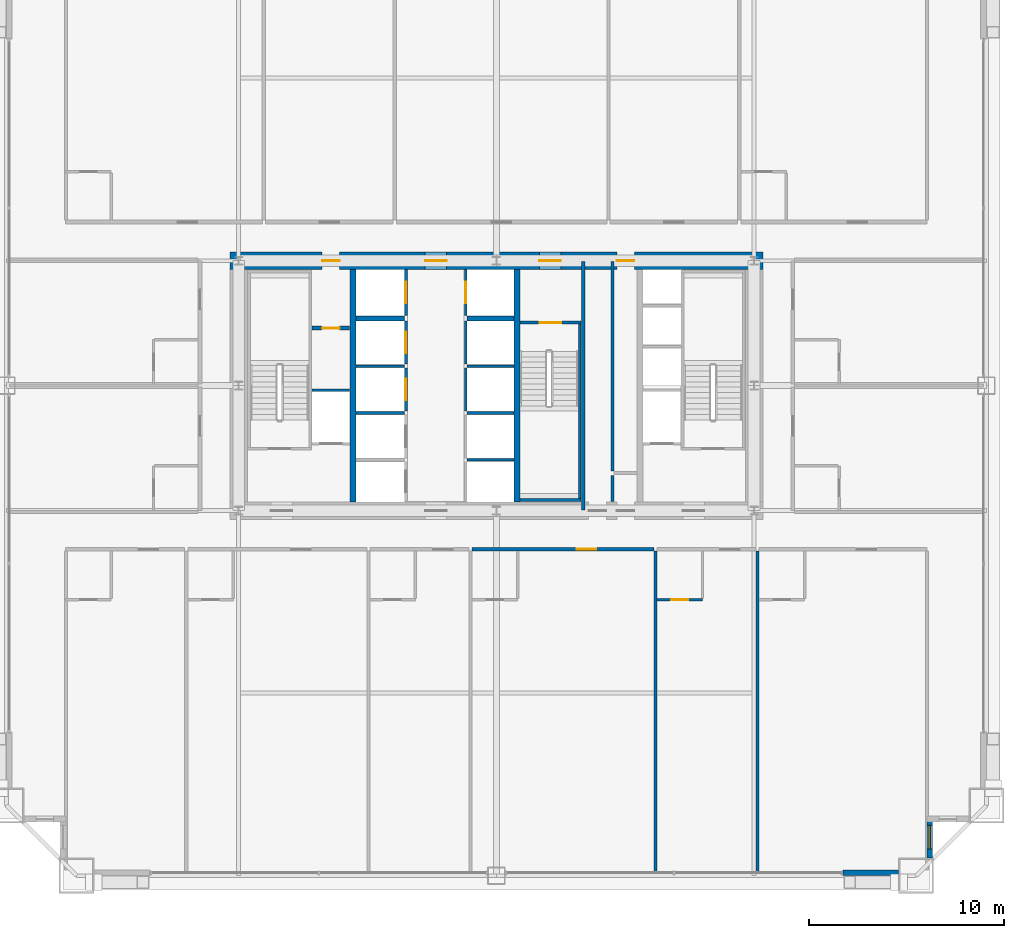
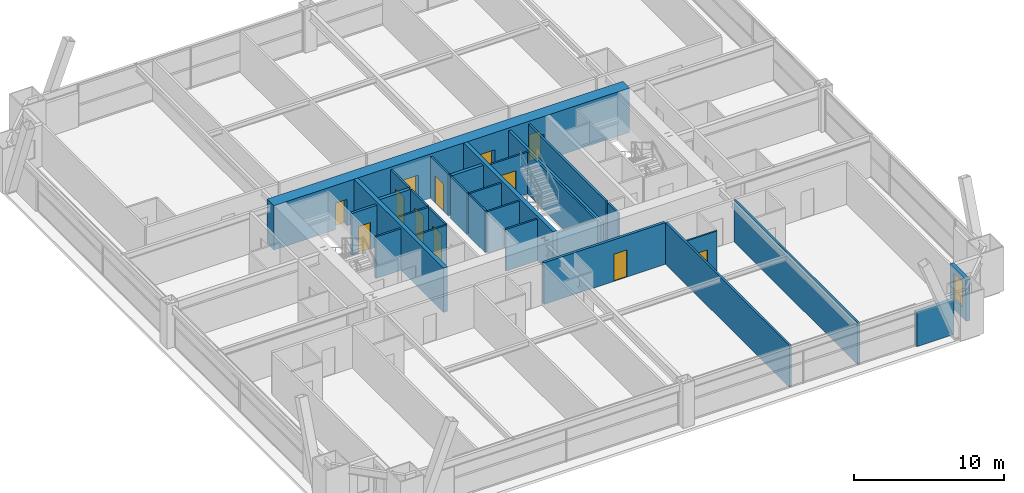
# One storey, part 40 of 43: 30 walls, 12 doors, 1 window, 13 openings.
"""IFC4 building model written with IfcOpenShell, lengths in metres."""

from ifc_helpers import new_model, si_unit, direction, frame, frame_2d, origin, place, context, subcontext, project, spatial, rectangle, extrude, source, transform, mapped, material, layer, layer_set, type_object, element, fill, save


model = new_model("IFC4")

# Units and contexts
model_context = context("Model", 3, precision=1e-05, world=origin(), true_north=direction((0.0, 1.0)))
body_context = subcontext(model_context, "Body", "Model", "MODEL_VIEW")
ifc_project = project(units=[si_unit("LENGTHUNIT", "METRE"), si_unit("AREAUNIT", "SQUARE_METRE"), si_unit("VOLUMEUNIT", "CUBIC_METRE"), si_unit("PLANEANGLEUNIT", "RADIAN"), si_unit("MASSUNIT", "GRAM", prefix="KILO"), si_unit("THERMODYNAMICTEMPERATUREUNIT", "KELVIN"), si_unit("POWERUNIT", "WATT")], contexts=[model_context])

# Site, building, storey
site_placement = place(None, origin())
site = spatial("IfcSite", under=ifc_project, at=site_placement, CompositionType="ELEMENT")
building_placement = place(site_placement, origin())
building = spatial("IfcBuilding", under=site, at=building_placement, Name="Yuzanri Waterfront Tower", CompositionType="ELEMENT")
storey_placement = place(building_placement, frame((0.0, 0.0, 60.39990234375)))
storey = spatial("IfcBuildingStorey", under=building, at=storey_placement, Name="L15", CompositionType="ELEMENT", Elevation=60.39990234375)

# Wall, opening, door
ifc_material_1 = material(Name="Moisture-Resistant Gypsum Stud Wall", Category="gypsum")
ifc_layer_1 = layer(ifc_material_1, 0.1201171875)
ifc_layer_set_1 = layer_set([ifc_layer_1], Name="Moisture-Resistant Gypsum Stud Wall")
wall_type_1 = type_object("IfcWallType", Name="Bathroom and Kitchen Wet Partition 120", PredefinedType="PARTITIONING", material=ifc_layer_set_1)
wall_1_placement = place(storey_placement, frame((45.22705078125, 14.840087890625, 0.0), z_axis=(0.0, 0.0, 1.0), x_axis=(1.0, 0.0, 0.0)))
wall_1 = element("IfcWall", 1, at=wall_1_placement, inside=storey, type_object=wall_type_1, Name="L15 Partition UW-L15-S5-BS", PredefinedType="PARTITIONING", context=body_context, shape_type="SweptSolid", body=[
    extrude(rectangle(XDim=2.329833984375, YDim=0.1201171875, at=frame_2d((1.1650390625, 0.0))), origin(), (0.0, 0.0, 1.0), 3.380126953125),
])
opening_1_placement = place(wall_1_placement, frame((0.739990234375, 0.0, 0.0)))
opening_1 = element("IfcOpeningElement", 2, at=opening_1_placement, cuts=wall_1, Name="Opening ID-0850", PredefinedType="OPENING", context=body_context, shape_type="SweptSolid", body=[
    extrude(rectangle(XDim=0.85009765625, YDim=2.10009765625, at=frame_2d((0.425048828125, 1.050048828125))), frame((0.0, 0.074951171875, 0.0), z_axis=(0.0, -1.0, 0.0), x_axis=(1.0, 0.0, 0.0)), (0.0, 0.0, 1.0), 0.14990234375),
])
ifc_material_2 = material(Name="Moisture-Resistant Lacquered Timber", Category="wood")
door_type_1 = type_object("IfcDoorType", Name="En-Suite Bathroom and Kitchen Swing Door 850x2100", OperationType="NOTDEFINED", PredefinedType="DOOR", material=ifc_material_2)
shared_shape_1 = source(origin(), body_context, "Body", "SweptSolid", [
    extrude(rectangle(XDim=0.85009765625, YDim=2.10009765625, at=frame_2d((0.425048828125, 1.050048828125))), frame((0.0, 0.02490234375, 0.0), z_axis=(0.0, -1.0, 0.0), x_axis=(1.0, 0.0, 0.0)), (0.0, 0.0, 1.0), 0.050048828125),
])
door_1_placement = place(opening_1_placement, origin())
door_1 = element("IfcDoor", 3, at=door_1_placement, inside=storey, type_object=door_type_1, Name="L15 Guest En-Suite Door", OperationType="SINGLE_SWING_RIGHT", OverallHeight=2.10009765625, OverallWidth=0.85009765625, PredefinedType="DOOR", context=body_context, shape_type="MappedRepresentation", body=[
    mapped(shared_shape_1, transform((0.0, 0.0, 0.0), scale=1.0)),
])
fill(opening_1, door_1)

# Wall, opening, window
ifc_material_3 = material(Name="Honed Chongqing Dark Basalt Stone", Category="masonry")
ifc_layer_2 = layer(ifc_material_3, 0.300048828125)
ifc_layer_set_2 = layer_set([ifc_layer_2], Name="Honed Chongqing Dark Basalt Stone")
wall_type_2 = type_object("IfcWallType", Name="Bronze Rainscreen Insulated Spandrel Portal Wall 300", PredefinedType="SOLIDWALL", material=ifc_layer_set_2)
wall_2_placement = place(storey_placement, frame((59.199951171875, 1.60009765625, 0.0), z_axis=(0.0, 0.0, 1.0), x_axis=(0.0, 1.0, 0.0)))
wall_2 = element("IfcWall", 4, at=wall_2_placement, inside=storey, type_object=wall_type_2, Name="L15 Notched Corner Masonry Wall SE-Y", PredefinedType="SOLIDWALL", context=body_context, shape_type="SweptSolid", body=[
    extrude(rectangle(XDim=2.14990234375, YDim=0.300048828125, at=frame_2d((1.074951171875, 0.0))), origin(), (0.0, 0.0, 1.0), 3.380126953125),
])
opening_2_placement = place(wall_2_placement, frame((0.47509765625, 0.0, 0.85009765625)))
opening_2 = element("IfcOpeningElement", 5, at=opening_2_placement, cuts=wall_2, Name="Opening WN-02", PredefinedType="OPENING", context=body_context, shape_type="SweptSolid", body=[
    extrude(rectangle(XDim=1.199951171875, YDim=2.10009765625, at=frame_2d((0.60009765625, 1.050048828125))), frame((0.0, 0.1650390625, 0.0), z_axis=(0.0, -1.0, 0.0), x_axis=(1.0, 0.0, 0.0)), (0.0, 0.0, 1.0), 0.329833984375),
])
ifc_material_4 = material(Name="Double-Silver Low-E Insulated Glass", Category="glass")
window_type = type_object("IfcWindowType", Name="Anodized Bronze Notched Corner Deep-Set Slot Window 1200x2100", PartitioningType="SINGLE_PANEL", PredefinedType="WINDOW", material=ifc_material_4)
shared_shape_2 = source(origin(), body_context, "Body", "SweptSolid", [
    extrude(rectangle(XDim=1.199951171875, YDim=2.10009765625, at=frame_2d((0.60009765625, 1.050048828125))), frame((0.0, 0.030029296875, 0.0), z_axis=(0.0, -1.0, 0.0), x_axis=(1.0, 0.0, 0.0)), (0.0, 0.0, 1.0), 0.06005859375),
])
window_placement = place(opening_2_placement, origin())
window = element("IfcWindow", 6, at=window_placement, inside=storey, type_object=window_type, Name="L15 Notched Corner Window SE-Y", OverallHeight=2.10009765625, OverallWidth=1.199951171875, PartitioningType="SINGLE_PANEL", PredefinedType="WINDOW", context=body_context, shape_type="MappedRepresentation", body=[
    mapped(shared_shape_2, transform((0.0, 0.0, 0.0), scale=1.0)),
])
fill(opening_2, window)

# Wall, openings, doors
ifc_material_5 = material(Name="Concrete C60", Category="concrete")
ifc_layer_3 = layer(ifc_material_5, 0.89990234375)
ifc_layer_set_3 = layer_set([ifc_layer_3], Name="Concrete C60")
wall_type_3 = type_object("IfcWallType", Name="Concrete C60 Lower Zone Core Shear Wall 900", PredefinedType="SHEAR", material=ifc_layer_set_3)
wall_3_placement = place(storey_placement, frame((23.35009765625, 32.199951171875, 0.0), z_axis=(0.0, 0.0, 1.0), x_axis=(1.0, 0.0, 0.0)))
wall_3 = element("IfcWall", 7, at=wall_3_placement, inside=storey, type_object=wall_type_3, Name="L15 Core North Shear Wall", PredefinedType="SHEAR", context=body_context, shape_type="SweptSolid", body=[
    extrude(rectangle(XDim=27.2998046875, YDim=0.89990234375, at=frame_2d((13.64990234375, 0.0))), origin(), (0.0, 0.0, 1.0), 3.60009765625),
])
opening_3_placement = place(wall_3_placement, frame((4.719970703125, 0.0, 0.0)))
opening_3 = element("IfcOpeningElement", 8, at=opening_3_placement, cuts=wall_3, Name="Opening FD-0900", PredefinedType="OPENING", context=body_context, shape_type="SweptSolid", body=[
    extrude(rectangle(XDim=0.89990234375, YDim=2.14990234375, at=frame_2d((0.449951171875, 1.074951171875))), frame((0.0, 0.46484375, 0.0), z_axis=(0.0, -1.0, 0.0), x_axis=(1.0, 0.0, 0.0)), (0.0, 0.0, 1.0), 0.9296875),
])
opening_4_placement = place(wall_3_placement, frame((10.0, 0.0, 0.0)))
opening_4 = element("IfcOpeningElement", 9, at=opening_4_placement, cuts=wall_3, Name="Opening FD-1100", PredefinedType="OPENING", context=body_context, shape_type="SweptSolid", body=[
    extrude(rectangle(XDim=1.10009765625, YDim=2.199951171875, at=frame_2d((0.550048828125, 1.10009765625))), frame((0.0, 0.46484375, 0.0), z_axis=(0.0, -1.0, 0.0), x_axis=(1.0, 0.0, 0.0)), (0.0, 0.0, 1.0), 0.9296875),
])
opening_5_placement = place(wall_3_placement, frame((15.85009765625, 0.0, 0.0)))
opening_5 = element("IfcOpeningElement", 10, at=opening_5_placement, cuts=wall_3, Name="Opening FD-1100", PredefinedType="OPENING", context=body_context, shape_type="SweptSolid", body=[
    extrude(rectangle(XDim=1.10009765625, YDim=2.199951171875, at=frame_2d((0.550048828125, 1.10009765625))), frame((0.0, 0.46484375, 0.0), z_axis=(0.0, -1.0, 0.0), x_axis=(1.0, 0.0, 0.0)), (0.0, 0.0, 1.0), 0.9296875),
])
opening_6_placement = place(wall_3_placement, frame((19.820068359375, 0.0, 0.0)))
opening_6 = element("IfcOpeningElement", 11, at=opening_6_placement, cuts=wall_3, Name="Opening FD-0900", PredefinedType="OPENING", context=body_context, shape_type="SweptSolid", body=[
    extrude(rectangle(XDim=0.89990234375, YDim=2.14990234375, at=frame_2d((0.449951171875, 1.074951171875))), frame((0.0, 0.46484375, 0.0), z_axis=(0.0, -1.0, 0.0), x_axis=(1.0, 0.0, 0.0)), (0.0, 0.0, 1.0), 0.9296875),
])
ifc_material_6 = material(Name="Painted Galvanized Fire Steel", Category="steel")
door_type_2 = type_object("IfcDoorType", Name="Smoke-Proof Stair and Lobby Fire Door 1100x2200", OperationType="NOTDEFINED", PredefinedType="DOOR", material=ifc_material_6)
shared_shape_3 = source(origin(), body_context, "Body", "SweptSolid", [
    extrude(rectangle(XDim=1.10009765625, YDim=2.199951171875, at=frame_2d((0.550048828125, 1.10009765625))), frame((0.0, 0.02490234375, 0.0), z_axis=(0.0, -1.0, 0.0), x_axis=(1.0, 0.0, 0.0)), (0.0, 0.0, 1.0), 0.050048828125),
])
door_2_placement = place(opening_4_placement, origin())
door_2 = element("IfcDoor", 12, at=door_2_placement, inside=storey, type_object=door_type_2, Name="L15 Central Lift Lobby North Door", OperationType="SINGLE_SWING_LEFT", OverallHeight=2.199951171875, OverallWidth=1.10009765625, PredefinedType="DOOR", context=body_context, shape_type="MappedRepresentation", body=[
    mapped(shared_shape_3, transform((0.0, 0.0, 0.0), scale=1.0)),
])
fill(opening_4, door_2)
door_3_placement = place(opening_5_placement, origin())
door_3 = element("IfcDoor", 13, at=door_3_placement, inside=storey, type_object=door_type_2, Name="L15 North Stair Lobby Door", OperationType="SINGLE_SWING_RIGHT", OverallHeight=2.199951171875, OverallWidth=1.10009765625, PredefinedType="DOOR", context=body_context, shape_type="MappedRepresentation", body=[
    mapped(shared_shape_3, transform((0.0, 0.0, 0.0), scale=1.0)),
])
fill(opening_5, door_3)
ifc_material_7 = material(Name="Painted Galvanized Fire Steel", Category="steel")
door_type_3 = type_object("IfcDoorType", Name="Riser and Service Room Fire Door 900x2150", OperationType="NOTDEFINED", PredefinedType="DOOR", material=ifc_material_7)
shared_shape_4 = source(origin(), body_context, "Body", "SweptSolid", [
    extrude(rectangle(XDim=0.89990234375, YDim=2.14990234375, at=frame_2d((0.449951171875, 1.074951171875))), frame((0.0, 0.02490234375, 0.0), z_axis=(0.0, -1.0, 0.0), x_axis=(1.0, 0.0, 0.0)), (0.0, 0.0, 1.0), 0.050048828125),
])
door_4_placement = place(opening_3_placement, origin())
door_4 = element("IfcDoor", 14, at=door_4_placement, inside=storey, type_object=door_type_3, Name="L15 Telecom Riser Door", OperationType="SINGLE_SWING_RIGHT", OverallHeight=2.14990234375, OverallWidth=0.89990234375, PredefinedType="DOOR", context=body_context, shape_type="MappedRepresentation", body=[
    mapped(shared_shape_4, transform((0.0, 0.0, 0.0), scale=1.0)),
])
fill(opening_3, door_4)
door_5_placement = place(opening_6_placement, origin())
door_5 = element("IfcDoor", 15, at=door_5_placement, inside=storey, type_object=door_type_3, Name="L15 Linen Store Room", OperationType="SINGLE_SWING_RIGHT", OverallHeight=2.14990234375, OverallWidth=0.89990234375, PredefinedType="DOOR", context=body_context, shape_type="MappedRepresentation", body=[
    mapped(shared_shape_4, transform((0.0, 0.0, 0.0), scale=1.0)),
])
fill(opening_6, door_5)

# Wall, opening, door
ifc_material_8 = material(Name="Concrete C40", Category="concrete")
ifc_layer_4 = layer(ifc_material_8, 0.139892578125)
ifc_layer_set_4 = layer_set([ifc_layer_4], Name="Concrete C40")
wall_type_4 = type_object("IfcWallType", Name="Core Stair Liner and Hoistway Shaft Wall 140", PredefinedType="SOLIDWALL", material=ifc_layer_set_4)
wall_4_placement = place(storey_placement, frame((32.3701171875, 24.5, 0.0), z_axis=(0.0, 0.0, 1.0), x_axis=(0.0, 1.0, 0.0)))
wall_4 = element("IfcWall", 16, at=wall_4_placement, inside=storey, type_object=wall_type_4, Name="L15 Lift PL-03 Front Shaft Wall", PredefinedType="SOLIDWALL", context=body_context, shape_type="SweptSolid", body=[
    extrude(rectangle(XDim=2.199951171875, YDim=0.139892578125, at=frame_2d((1.10009765625, 0.0))), origin(), (0.0, 0.0, 1.0), 3.380126953125),
])
opening_7_placement = place(wall_4_placement, frame((0.550048828125, 0.0, 0.0)))
opening_7 = element("IfcOpeningElement", 17, at=opening_7_placement, cuts=wall_4, Name="Opening LD-PL-03", PredefinedType="OPENING", context=body_context, shape_type="SweptSolid", body=[
    extrude(rectangle(XDim=1.10009765625, YDim=2.199951171875, at=frame_2d((0.550048828125, 1.10009765625))), frame((0.0, 0.0849609375, 0.0), z_axis=(0.0, -1.0, 0.0), x_axis=(1.0, 0.0, 0.0)), (0.0, 0.0, 1.0), 0.169677734375),
])
ifc_material_9 = material(Name="Brushed Bronze and Stainless Steel Cab", Category="steel")
door_type_4 = type_object("IfcDoorType", Name="Center-Parting Bronze Lift Landing Sliding Door 1100x2200", OperationType="NOTDEFINED", PredefinedType="DOOR", material=ifc_material_9)
shared_shape_5 = source(origin(), body_context, "Body", "SweptSolid", [
    extrude(rectangle(XDim=1.10009765625, YDim=2.199951171875, at=frame_2d((0.550048828125, 1.10009765625))), frame((0.0, 0.02490234375, 0.0), z_axis=(0.0, -1.0, 0.0), x_axis=(1.0, 0.0, 0.0)), (0.0, 0.0, 1.0), 0.050048828125),
])
door_6_placement = place(opening_7_placement, origin())
door_6 = element("IfcDoor", 18, at=door_6_placement, inside=storey, type_object=door_type_4, Name="L15 PL-03 Lift Landing Sliding Door", OperationType="SLIDING_TO_LEFT", OverallHeight=2.199951171875, OverallWidth=1.10009765625, PredefinedType="DOOR", context=body_context, shape_type="MappedRepresentation", body=[
    mapped(shared_shape_5, transform((0.0, 0.0, 0.0), scale=1.0)),
])
fill(opening_7, door_6)

wall_5_placement = place(storey_placement, frame((32.3701171875, 26.89990234375, 0.0), z_axis=(0.0, 0.0, 1.0), x_axis=(0.0, 1.0, 0.0)))
wall_5 = element("IfcWall", 19, at=wall_5_placement, inside=storey, type_object=wall_type_4, Name="L15 Lift PL-04 Front Shaft Wall", PredefinedType="SOLIDWALL", context=body_context, shape_type="SweptSolid", body=[
    extrude(rectangle(XDim=2.2001953125, YDim=0.139892578125, at=frame_2d((1.10009765625, 0.0))), origin(), (0.0, 0.0, 1.0), 3.380126953125),
])
opening_8_placement = place(wall_5_placement, frame((0.550048828125, 0.0, 0.0)))
opening_8 = element("IfcOpeningElement", 20, at=opening_8_placement, cuts=wall_5, Name="Opening LD-PL-04", PredefinedType="OPENING", context=body_context, shape_type="SweptSolid", body=[
    extrude(rectangle(XDim=1.10009765625, YDim=2.199951171875, at=frame_2d((0.550048828125, 1.10009765625))), frame((0.0, 0.0849609375, 0.0), z_axis=(0.0, -1.0, 0.0), x_axis=(1.0, 0.0, 0.0)), (0.0, 0.0, 1.0), 0.169677734375),
])
door_7_placement = place(opening_8_placement, origin())
door_7 = element("IfcDoor", 21, at=door_7_placement, inside=storey, type_object=door_type_4, Name="L15 PL-04 Lift Landing Sliding Door", OperationType="SLIDING_TO_RIGHT", OverallHeight=2.199951171875, OverallWidth=1.10009765625, PredefinedType="DOOR", context=body_context, shape_type="MappedRepresentation", body=[
    mapped(shared_shape_5, transform((0.0, 0.0, 0.0), scale=1.0)),
])
fill(opening_8, door_7)

wall_6_placement = place(storey_placement, frame((32.3701171875, 29.39990234375, 0.0), z_axis=(0.0, 0.0, 1.0), x_axis=(0.0, 1.0, 0.0)))
wall_6 = element("IfcWall", 22, at=wall_6_placement, inside=storey, type_object=wall_type_4, Name="L15 Lift SL-01 Front Shaft Wall", PredefinedType="SOLIDWALL", context=body_context, shape_type="SweptSolid", body=[
    extrude(rectangle(XDim=2.340087890625, YDim=0.139892578125, at=frame_2d((1.169921875, 0.0))), origin(), (0.0, 0.0, 1.0), 3.380126953125),
])
opening_9_placement = place(wall_6_placement, frame((0.6201171875, 0.0, 0.0)))
opening_9 = element("IfcOpeningElement", 23, at=opening_9_placement, cuts=wall_6, Name="Opening LD-SL-01", PredefinedType="OPENING", context=body_context, shape_type="SweptSolid", body=[
    extrude(rectangle(XDim=1.10009765625, YDim=2.199951171875, at=frame_2d((0.550048828125, 1.10009765625))), frame((0.0, 0.0849609375, 0.0), z_axis=(0.0, -1.0, 0.0), x_axis=(1.0, 0.0, 0.0)), (0.0, 0.0, 1.0), 0.169677734375),
])
door_8_placement = place(opening_9_placement, origin())
door_8 = element("IfcDoor", 24, at=door_8_placement, inside=storey, type_object=door_type_4, Name="L15 SL-01 Lift Landing Sliding Door", OperationType="SLIDING_TO_LEFT", OverallHeight=2.199951171875, OverallWidth=1.10009765625, PredefinedType="DOOR", context=body_context, shape_type="MappedRepresentation", body=[
    mapped(shared_shape_5, transform((0.0, 0.0, 0.0), scale=1.0)),
])
fill(opening_9, door_8)

wall_7_placement = place(storey_placement, frame((35.429931640625, 29.39990234375, 0.0), z_axis=(0.0, 0.0, 1.0), x_axis=(0.0, 1.0, 0.0)))
wall_7 = element("IfcWall", 25, at=wall_7_placement, inside=storey, type_object=wall_type_4, Name="L15 Lift SL-02 Front Shaft Wall", PredefinedType="SOLIDWALL", context=body_context, shape_type="SweptSolid", body=[
    extrude(rectangle(XDim=2.340087890625, YDim=0.139892578125, at=frame_2d((1.169921875, 0.0))), origin(), (0.0, 0.0, 1.0), 3.380126953125),
])
opening_10_placement = place(wall_7_placement, frame((0.6201171875, 0.0, 0.0)))
opening_10 = element("IfcOpeningElement", 26, at=opening_10_placement, cuts=wall_7, Name="Opening LD-SL-02", PredefinedType="OPENING", context=body_context, shape_type="SweptSolid", body=[
    extrude(rectangle(XDim=1.10009765625, YDim=2.199951171875, at=frame_2d((0.550048828125, 1.10009765625))), frame((0.0, 0.0849609375, 0.0), z_axis=(0.0, -1.0, 0.0), x_axis=(1.0, 0.0, 0.0)), (0.0, 0.0, 1.0), 0.169677734375),
])
door_9_placement = place(opening_10_placement, origin())
door_9 = element("IfcDoor", 27, at=door_9_placement, inside=storey, type_object=door_type_4, Name="L15 SL-02 Lift Landing Sliding Door", OperationType="SLIDING_TO_RIGHT", OverallHeight=2.199951171875, OverallWidth=1.10009765625, PredefinedType="DOOR", context=body_context, shape_type="MappedRepresentation", body=[
    mapped(shared_shape_5, transform((0.0, 0.0, 0.0), scale=1.0)),
])
fill(opening_10, door_9)

wall_8_placement = place(storey_placement, frame((38.199951171875, 29.030029296875, 0.0), z_axis=(0.0, 0.0, 1.0), x_axis=(1.0, 0.0, 0.0)))
wall_8 = element("IfcWall", 28, at=wall_8_placement, inside=storey, type_object=wall_type_4, Name="L15 Shaft Wall STW-L15-ST-03-N", PredefinedType="SOLIDWALL", context=body_context, shape_type="SweptSolid", body=[
    extrude(rectangle(XDim=3.14013671875, YDim=0.139892578125, at=frame_2d((1.570068359375, 0.0))), origin(), (0.0, 0.0, 1.0), 3.380126953125),
])
opening_11_placement = place(wall_8_placement, frame((1.02001953125, 0.0, 0.0)))
opening_11 = element("IfcOpeningElement", 29, at=opening_11_placement, cuts=wall_8, Name="Opening FD-1100", PredefinedType="OPENING", context=body_context, shape_type="SweptSolid", body=[
    extrude(rectangle(XDim=1.10009765625, YDim=2.199951171875, at=frame_2d((0.550048828125, 1.10009765625))), frame((0.0, 0.0849609375, 0.0), z_axis=(0.0, -1.0, 0.0), x_axis=(1.0, 0.0, 0.0)), (0.0, 0.0, 1.0), 0.169677734375),
])
door_10_placement = place(opening_11_placement, origin())
door_10 = element("IfcDoor", 30, at=door_10_placement, inside=storey, type_object=door_type_2, Name="L15 Stair ST-03 Fire Door", OperationType="SINGLE_SWING_RIGHT", OverallHeight=2.199951171875, OverallWidth=1.10009765625, PredefinedType="DOOR", context=body_context, shape_type="MappedRepresentation", body=[
    mapped(shared_shape_3, transform((0.0, 0.0, 0.0), scale=1.0)),
])
fill(opening_11, door_10)

ifc_material_10 = material(Name="Autoclaved Aerated Concrete Blockwork", Category="masonry")
ifc_layer_5 = layer(ifc_material_10, 0.199951171875)
ifc_layer_set_5 = layer_set([ifc_layer_5], Name="Autoclaved Aerated Concrete Blockwork")
wall_type_5 = type_object("IfcWallType", Name="Corridor and Unit Party Fire Wall 200", PredefinedType="PARTITIONING", material=ifc_layer_set_5)
wall_9_placement = place(storey_placement, frame((27.56005859375, 28.75, 0.0), z_axis=(0.0, 0.0, 1.0), x_axis=(1.0, 0.0, 0.0)))
wall_9 = element("IfcWall", 31, at=wall_9_placement, inside=storey, type_object=wall_type_5, Name="L15 Partition CRW-L15-ERTR", PredefinedType="PARTITIONING", context=body_context, shape_type="SweptSolid", body=[
    extrude(rectangle(XDim=1.919921875, YDim=0.199951171875, at=frame_2d((0.9599609375, 0.0))), origin(), (0.0, 0.0, 1.0), 3.380126953125),
])
opening_12_placement = place(wall_9_placement, frame((0.510009765625, 0.0, 0.0)))
opening_12 = element("IfcOpeningElement", 32, at=opening_12_placement, cuts=wall_9, Name="Opening FD-0900", PredefinedType="OPENING", context=body_context, shape_type="SweptSolid", body=[
    extrude(rectangle(XDim=0.89990234375, YDim=2.14990234375, at=frame_2d((0.449951171875, 1.074951171875))), frame((0.0, 0.11474609375, 0.0), z_axis=(0.0, -1.0, 0.0), x_axis=(1.0, 0.0, 0.0)), (0.0, 0.0, 1.0), 0.229736328125),
])
door_11_placement = place(opening_12_placement, origin())
door_11 = element("IfcDoor", 33, at=door_11_placement, inside=storey, type_object=door_type_3, Name="L15 Electrical Riser Door", OperationType="SINGLE_SWING_LEFT", OverallHeight=2.14990234375, OverallWidth=0.89990234375, PredefinedType="DOOR", context=body_context, shape_type="MappedRepresentation", body=[
    mapped(shared_shape_4, transform((0.0, 0.0, 0.0), scale=1.0)),
])
fill(opening_12, door_11)

wall_10_placement = place(storey_placement, frame((35.756103515625, 17.419921875, 0.0), z_axis=(0.0, 0.0, 1.0), x_axis=(1.0, 0.0, 0.0)))
wall_10 = element("IfcWall", 34, at=wall_10_placement, inside=storey, type_object=wall_type_5, Name="L15 Partition UW-L15-S4-CN", PredefinedType="PARTITIONING", context=body_context, shape_type="SweptSolid", body=[
    extrude(rectangle(XDim=9.310791015625, YDim=0.199951171875, at=frame_2d((4.6552734375, 0.0))), origin(), (0.0, 0.0, 1.0), 3.380126953125),
])
opening_13_placement = place(wall_10_placement, frame((5.361083984375, 0.0, 0.0)))
opening_13 = element("IfcOpeningElement", 35, at=opening_13_placement, cuts=wall_10, Name="Opening FD-1000", PredefinedType="OPENING", context=body_context, shape_type="SweptSolid", body=[
    extrude(rectangle(XDim=1.0, YDim=2.199951171875, at=frame_2d((0.5, 1.10009765625))), frame((0.0, 0.11474609375, 0.0), z_axis=(0.0, -1.0, 0.0), x_axis=(1.0, 0.0, 0.0)), (0.0, 0.0, 1.0), 0.229736328125),
])
ifc_material_11 = material(Name="Engineered Oak Fire-Rated Timber", Category="wood")
door_type_5 = type_object("IfcDoorType", Name="Guestroom and Apartment Entrance Fire Door 1000x2200", OperationType="NOTDEFINED", PredefinedType="DOOR", material=ifc_material_11)
shared_shape_6 = source(origin(), body_context, "Body", "SweptSolid", [
    extrude(rectangle(XDim=1.0, YDim=2.199951171875, at=frame_2d((0.5, 1.10009765625))), frame((0.0, 0.02490234375, 0.0), z_axis=(0.0, -1.0, 0.0), x_axis=(1.0, 0.0, 0.0)), (0.0, 0.0, 1.0), 0.050048828125),
])
door_12_placement = place(opening_13_placement, origin())
door_12 = element("IfcDoor", 36, at=door_12_placement, inside=storey, type_object=door_type_5, Name="L15 Deluxe Riverfront Junior Suite Entrance Door", OperationType="SINGLE_SWING_LEFT", OverallHeight=2.199951171875, OverallWidth=1.0, PredefinedType="DOOR", context=body_context, shape_type="MappedRepresentation", body=[
    mapped(shared_shape_6, transform((0.0, 0.0, 0.0), scale=1.0)),
])
fill(opening_13, door_12)

# Walls
ifc_material_12 = material(Name="Concrete C50", Category="concrete")
ifc_layer_6 = layer(ifc_material_12, 0.300048828125)
ifc_layer_set_6 = layer_set([ifc_layer_6], Name="Concrete C50")
wall_type_6 = type_object("IfcWallType", Name="Concrete C50 Internal Core Shaft Structural Wall 300", PredefinedType="SOLIDWALL", material=ifc_layer_set_6)
shared_shape_7 = source(origin(), body_context, "Body", "SweptSolid", [
    extrude(rectangle(XDim=11.89990234375, YDim=0.300048828125, at=frame_2d((5.949951171875, 0.0))), origin(), (0.0, 0.0, 1.0), 3.60009765625),
])
for number, where, z_axis, x_axis, name in (
    (37, (29.64990234375, 19.85009765625, 0.0), (0.0, 0.0, 1.0), (0.0, 1.0, 0.0), "L15 Core Internal Structural Web Wall 1"),
    (38, (38.050048828125, 19.85009765625, 0.0), (0.0, 0.0, 1.0), (0.0, 1.0, 0.0), "L15 Core Internal Structural Web Wall 2"),
):
    element("IfcWall", number, at=place(storey_placement, frame(where, z_axis=z_axis, x_axis=x_axis)), inside=storey, type_object=wall_type_6, Name=name, PredefinedType="SOLIDWALL", context=body_context, shape_type="MappedRepresentation", body=[
        mapped(shared_shape_7, transform((0.0, 0.0, 0.0), scale=1.0)),
    ])
shared_shape_8 = source(origin(), body_context, "Body", "SweptSolid", [
    extrude(rectangle(XDim=2.85009765625, YDim=0.300048828125, at=frame_2d((1.425048828125, 0.0))), origin(), (0.0, 0.0, 1.0), 2.775146484375),
])
wall_11_placement = place(storey_placement, frame((54.75, 0.85009765625, 0.0), z_axis=(0.0, 0.0, 1.0), x_axis=(1.0, 0.0, 0.0)))
element("IfcWall", 39, at=wall_11_placement, inside=storey, type_object=wall_type_2, Name="L15 S Right Braced Masonry Shoulder", PredefinedType="SOLIDWALL", context=body_context, shape_type="MappedRepresentation", body=[
    mapped(shared_shape_8, transform((0.0, 0.0, 0.0), scale=1.0)),
])
shared_shape_9 = source(origin(), body_context, "Body", "SweptSolid", [
    extrude(rectangle(XDim=1.919921875, YDim=0.139892578125, at=frame_2d((0.9599609375, 0.0))), origin(), (0.0, 0.0, 1.0), 3.380126953125),
])
wall_12_placement = place(storey_placement, frame((27.56005859375, 25.570068359375, 0.0), z_axis=(0.0, 0.0, 1.0), x_axis=(1.0, 0.0, 0.0)))
element("IfcWall", 40, at=wall_12_placement, inside=storey, type_object=wall_type_4, Name="L15 Lift FL-01 Back Shaft Wall", PredefinedType="SOLIDWALL", context=body_context, shape_type="MappedRepresentation", body=[
    mapped(shared_shape_9, transform((0.0, 0.0, 0.0), scale=1.0)),
])
shared_shape_10 = source(origin(), body_context, "Body", "SweptSolid", [
    extrude(rectangle(XDim=2.5, YDim=0.139892578125, at=frame_2d((1.25, 0.0))), origin(), (0.0, 0.0, 1.0), 3.380126953125),
])
for number, where, z_axis, x_axis, name in (
    (41, (29.800048828125, 24.39990234375, 0.0), (0.0, 0.0, 1.0), (1.0, 0.0, 0.0), "L15 Lift PL-02 Divider Wall"),
    (42, (29.800048828125, 26.800048828125, 0.0), (0.0, 0.0, 1.0), (1.0, 0.0, 0.0), "L15 Lift PL-03 Divider Wall"),
):
    element("IfcWall", number, at=place(storey_placement, frame(where, z_axis=z_axis, x_axis=x_axis)), inside=storey, type_object=wall_type_4, Name=name, PredefinedType="SOLIDWALL", context=body_context, shape_type="MappedRepresentation", body=[
        mapped(shared_shape_10, transform((0.0, 0.0, 0.0), scale=1.0)),
    ])
ifc_material_13 = material(Name="Concrete C40", Category="concrete")
ifc_layer_7 = layer(ifc_material_13, 0.25)
ifc_layer_set_7 = layer_set([ifc_layer_7], Name="Concrete C40")
wall_type_7 = type_object("IfcWallType", Name="Smoke-Proof Stair and Lift Shaft Wall 250", PredefinedType="SOLIDWALL", material=ifc_layer_set_7)
shared_shape_11 = source(origin(), body_context, "Body", "SweptSolid", [
    extrude(rectangle(XDim=2.5, YDim=0.25, at=frame_2d((1.25, 0.0))), origin(), (0.0, 0.0, 1.0), 3.380126953125),
])
wall_13_placement = place(storey_placement, frame((29.800048828125, 29.25, 0.0), z_axis=(0.0, 0.0, 1.0), x_axis=(1.0, 0.0, 0.0)))
element("IfcWall", 43, at=wall_13_placement, inside=storey, type_object=wall_type_7, Name="L15 Lift SL-01 South Shaft Wall", PredefinedType="SOLIDWALL", context=body_context, shape_type="MappedRepresentation", body=[
    mapped(shared_shape_11, transform((0.0, 0.0, 0.0), scale=1.0)),
])
shared_shape_12 = source(origin(), body_context, "Body", "SweptSolid", [
    extrude(rectangle(XDim=2.39990234375, YDim=0.139892578125, at=frame_2d((1.199951171875, 0.0))), origin(), (0.0, 0.0, 1.0), 3.380126953125),
])
for number, where, z_axis, x_axis, name in (
    (44, (35.5, 22.0, 0.0), (0.0, 0.0, 1.0), (1.0, 0.0, 0.0), "L15 Lift PL-05 Divider Wall"),
    (45, (35.5, 24.39990234375, 0.0), (0.0, 0.0, 1.0), (1.0, 0.0, 0.0), "L15 Lift PL-06 Divider Wall"),
    (46, (35.5, 26.800048828125, 0.0), (0.0, 0.0, 1.0), (1.0, 0.0, 0.0), "L15 Lift PL-07 Divider Wall"),
):
    element("IfcWall", number, at=place(storey_placement, frame(where, z_axis=z_axis, x_axis=x_axis)), inside=storey, type_object=wall_type_4, Name=name, PredefinedType="SOLIDWALL", context=body_context, shape_type="MappedRepresentation", body=[
        mapped(shared_shape_12, transform((0.0, 0.0, 0.0), scale=1.0)),
    ])
shared_shape_13 = source(origin(), body_context, "Body", "SweptSolid", [
    extrude(rectangle(XDim=2.199951171875, YDim=0.139892578125, at=frame_2d((1.10009765625, 0.0))), origin(), (0.0, 0.0, 1.0), 3.380126953125),
])
wall_14_placement = place(storey_placement, frame((35.429931640625, 24.5, 0.0), z_axis=(0.0, 0.0, 1.0), x_axis=(0.0, 1.0, 0.0)))
element("IfcWall", 47, at=wall_14_placement, inside=storey, type_object=wall_type_4, Name="L15 Lift PL-07 Front Shaft Wall", PredefinedType="SOLIDWALL", context=body_context, shape_type="MappedRepresentation", body=[
    mapped(shared_shape_13, transform((0.0, 0.0, 0.0), scale=1.0)),
])
shared_shape_14 = source(origin(), body_context, "Body", "SweptSolid", [
    extrude(rectangle(XDim=2.2001953125, YDim=0.139892578125, at=frame_2d((1.10009765625, 0.0))), origin(), (0.0, 0.0, 1.0), 3.380126953125),
])
wall_15_placement = place(storey_placement, frame((35.429931640625, 26.89990234375, 0.0), z_axis=(0.0, 0.0, 1.0), x_axis=(0.0, 1.0, 0.0)))
element("IfcWall", 48, at=wall_15_placement, inside=storey, type_object=wall_type_4, Name="L15 Lift PL-08 Front Shaft Wall", PredefinedType="SOLIDWALL", context=body_context, shape_type="MappedRepresentation", body=[
    mapped(shared_shape_14, transform((0.0, 0.0, 0.0), scale=1.0)),
])
shared_shape_15 = source(origin(), body_context, "Body", "SweptSolid", [
    extrude(rectangle(XDim=2.39990234375, YDim=0.25, at=frame_2d((1.199951171875, 0.0))), origin(), (0.0, 0.0, 1.0), 3.380126953125),
])
wall_16_placement = place(storey_placement, frame((35.5, 29.25, 0.0), z_axis=(0.0, 0.0, 1.0), x_axis=(1.0, 0.0, 0.0)))
element("IfcWall", 49, at=wall_16_placement, inside=storey, type_object=wall_type_7, Name="L15 Lift SL-02 South Shaft Wall", PredefinedType="SOLIDWALL", context=body_context, shape_type="MappedRepresentation", body=[
    mapped(shared_shape_15, transform((0.0, 0.0, 0.0), scale=1.0)),
])
shared_shape_16 = source(origin(), body_context, "Body", "SweptSolid", [
    extrude(rectangle(XDim=3.14013671875, YDim=0.139892578125, at=frame_2d((1.570068359375, 0.0))), origin(), (0.0, 0.0, 1.0), 3.380126953125),
])
wall_17_placement = place(storey_placement, frame((38.199951171875, 19.949951171875, 0.0), z_axis=(0.0, 0.0, 1.0), x_axis=(1.0, 0.0, 0.0)))
element("IfcWall", 50, at=wall_17_placement, inside=storey, type_object=wall_type_4, Name="L15 Stair ST-03 South Shaft Wall", PredefinedType="SOLIDWALL", context=body_context, shape_type="MappedRepresentation", body=[
    mapped(shared_shape_16, transform((0.0, 0.0, 0.0), scale=1.0)),
])
shared_shape_17 = source(origin(), body_context, "Body", "SweptSolid", [
    extrude(rectangle(XDim=8.93994140625, YDim=0.139892578125, at=frame_2d((4.469970703125, 0.0))), origin(), (0.0, 0.0, 1.0), 3.380126953125),
])
wall_18_placement = place(storey_placement, frame((41.27001953125, 20.02001953125, 0.0), z_axis=(0.0, 0.0, 1.0), x_axis=(0.0, 1.0, 0.0)))
element("IfcWall", 51, at=wall_18_placement, inside=storey, type_object=wall_type_4, Name="L15 Stair ST-03 East Shaft Wall", PredefinedType="SOLIDWALL", context=body_context, shape_type="MappedRepresentation", body=[
    mapped(shared_shape_17, transform((0.0, 0.0, 0.0), scale=1.0)),
])
ifc_material_14 = material(Name="Gypsum Fireboard Acoustic Stud Wall", Category="gypsum")
ifc_layer_8 = layer(ifc_material_14, 0.159912109375)
ifc_layer_set_8 = layer_set([ifc_layer_8], Name="Gypsum Fireboard Acoustic Stud Wall")
wall_type_8 = type_object("IfcWallType", Name="Acoustic Suite Demising Partition 160", PredefinedType="PARTITIONING", material=ifc_layer_set_8)
shared_shape_18 = source(origin(), body_context, "Body", "SweptSolid", [
    extrude(rectangle(XDim=1.33984375, YDim=0.159912109375, at=frame_2d((0.669921875, 0.0))), origin(), (0.0, 0.0, 1.0), 3.380126953125),
])
wall_19_placement = place(storey_placement, frame((42.949951171875, 19.860107421875, 0.0), z_axis=(0.0, 0.0, 1.0), x_axis=(0.0, 1.0, 0.0)))
element("IfcWall", 52, at=wall_19_placement, inside=storey, type_object=wall_type_8, Name="L15 East Wet Riser West Wall", PredefinedType="PARTITIONING", context=body_context, shape_type="MappedRepresentation", body=[
    mapped(shared_shape_18, transform((0.0, 0.0, 0.0), scale=1.0)),
])
shared_shape_19 = source(origin(), body_context, "Body", "SweptSolid", [
    extrude(rectangle(XDim=12.719970703125, YDim=0.199951171875, at=frame_2d((6.35986328125, 0.0))), origin(), (0.0, 0.0, 1.0), 3.380126953125),
])
wall_20_placement = place(storey_placement, frame((41.449951171875, 19.43994140625, 0.0), z_axis=(0.0, 0.0, 1.0), x_axis=(0.0, 1.0, 0.0)))
element("IfcWall", 53, at=wall_20_placement, inside=storey, type_object=wall_type_5, Name="L15 Core BOH West Wall 1", PredefinedType="PARTITIONING", context=body_context, shape_type="MappedRepresentation", body=[
    mapped(shared_shape_19, transform((0.0, 0.0, 0.0), scale=1.0)),
])
shared_shape_20 = source(origin(), body_context, "Body", "SweptSolid", [
    extrude(rectangle(XDim=16.469970703125, YDim=0.159912109375, at=frame_2d((8.23486328125, 0.0))), origin(), (0.0, 0.0, 1.0), 3.380126953125),
])
for number, where, z_axis, x_axis, name in (
    (54, (45.14697265625, 0.85009765625, 0.0), (0.0, 0.0, 1.0), (0.0, 1.0, 0.0), "L15-S4 Party Wall"),
    (55, (50.383056640625, 0.85009765625, 0.0), (0.0, 0.0, 1.0), (0.0, 1.0, 0.0), "L15-S5 Party Wall"),
):
    element("IfcWall", number, at=place(storey_placement, frame(where, z_axis=z_axis, x_axis=x_axis)), inside=storey, type_object=wall_type_8, Name=name, PredefinedType="PARTITIONING", context=body_context, shape_type="MappedRepresentation", body=[
        mapped(shared_shape_20, transform((0.0, 0.0, 0.0), scale=1.0)),
    ])
shared_shape_21 = source(origin(), body_context, "Body", "SweptSolid", [
    extrude(rectangle(XDim=10.719970703125, YDim=0.159912109375, at=frame_2d((5.35986328125, 0.0))), origin(), (0.0, 0.0, 1.0), 3.380126953125),
])
wall_21_placement = place(storey_placement, frame((42.949951171875, 21.43994140625, 0.0), z_axis=(0.0, 0.0, 1.0), x_axis=(0.0, 1.0, 0.0)))
element("IfcWall", 56, at=wall_21_placement, inside=storey, type_object=wall_type_8, Name="L15 Core BOH Mid Wall 2", PredefinedType="PARTITIONING", context=body_context, shape_type="MappedRepresentation", body=[
    mapped(shared_shape_21, transform((0.0, 0.0, 0.0), scale=1.0)),
])

save(model, "model.ifc")
